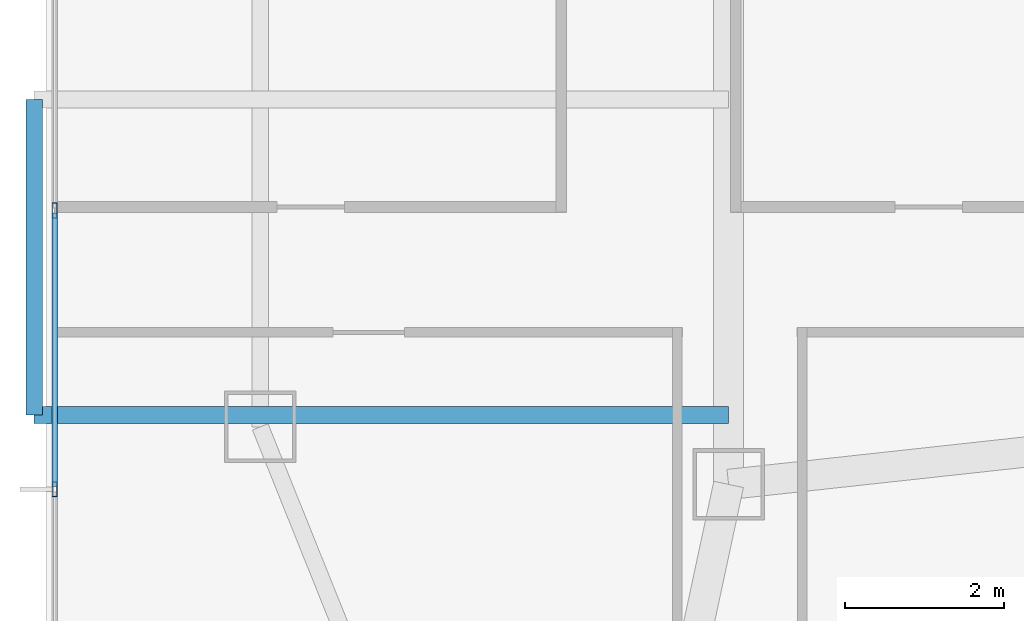
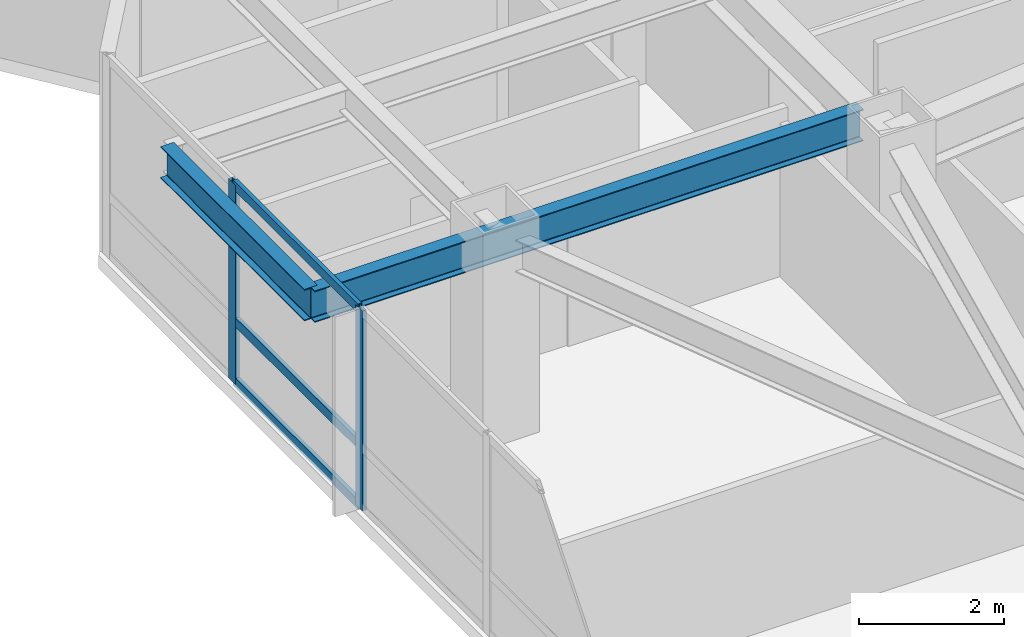
# One storey, part 4 of 17: 5 members, 2 beams, 1 element without a shape of its own.
"""IFC4 building model written with IfcOpenShell, lengths in metres."""

from ifc_helpers import new_model, si_unit, direction, frame, origin, origin_2d, place, context, subcontext, project, spatial, hollow_rectangle, i_section, extrude, material, material_profile, profile_set, type_object, element, aggregate, save


model = new_model("IFC4")

# Units and contexts
model_context = context("Model", 3, precision=1e-05, world=origin(), true_north=direction((0.0, 1.0)))
body_context = subcontext(model_context, "Body", "Model", "MODEL_VIEW")
ifc_project = project(units=[si_unit("LENGTHUNIT", "METRE"), si_unit("AREAUNIT", "SQUARE_METRE"), si_unit("VOLUMEUNIT", "CUBIC_METRE"), si_unit("PLANEANGLEUNIT", "RADIAN"), si_unit("MASSUNIT", "GRAM", prefix="KILO")], contexts=[model_context])

# Site, building, storey
site_placement = place(None, origin())
site = spatial("IfcSite", under=ifc_project, at=site_placement, CompositionType="ELEMENT")
building_placement = place(site_placement, origin())
building = spatial("IfcBuilding", under=site, at=building_placement, Name="Khamvora Tower", CompositionType="ELEMENT")
storey_placement = place(building_placement, frame((0.0, 0.0, 142.050048828125)))
storey = spatial("IfcBuildingStorey", under=building, at=storey_placement, Name="L36", CompositionType="ELEMENT", Elevation=142.050048828125)

# Beams
ifc_material_1 = material(Name="Steel S355", Category="steel")
ifc_material_profile_1 = material_profile(ifc_material_1, i_section(OverallWidth=0.208984375, OverallDepth=0.532958984375, WebThickness=0.010009765625, FlangeThickness=0.01611328125, FilletRadius=0.013916015625, at=origin_2d()), Name="W530x92")
ifc_profile_set_1 = profile_set([ifc_material_profile_1], Name="Steel S355")
beam_type = type_object("IfcBeamType", Name="BM-SP-W530x92", PredefinedType="SPANDREL", material=ifc_profile_set_1)
beam_1_placement = place(storey_placement, frame((18.0, 18.675048828125, 2.962890625), z_axis=(-1.0, 0.0, 0.0), x_axis=(0.0, -1.0, 0.0)))
element("IfcBeam", 1, at=beam_1_placement, inside=storey, type_object=beam_type, Name="L36 continuous gallery cantilever girder L37-WL1-1", PredefinedType="SPANDREL", context=body_context, shape_type="SweptSolid", body=[
    extrude(i_section(OverallWidth=0.208984375, OverallDepth=0.532958984375, WebThickness=0.010009765625, FlangeThickness=0.01611328125, FilletRadius=0.013916015625, at=origin_2d()), origin(), (0.0, 0.0, 1.0), 8.75),
])
beam_2_placement = place(storey_placement, frame((9.25, 18.675048828125, 2.962890625), z_axis=(0.0, 1.0, 0.0), x_axis=(-1.0, 0.0, 0.0)))
element("IfcBeam", 2, at=beam_2_placement, inside=storey, type_object=beam_type, Name="L36 external gallery edge header beam L37-WL1", PredefinedType="SPANDREL", context=body_context, shape_type="SweptSolid", body=[
    extrude(i_section(OverallWidth=0.208984375, OverallDepth=0.532958984375, WebThickness=0.010009765625, FlangeThickness=0.01611328125, FilletRadius=0.013916015625, at=origin_2d()), origin(), (0.0, 0.0, 1.0), 3.974853515625),
])

# Curtain wall, members
ifc_material_2 = material(Name="Anodised Aluminium 6063-T6", Category="aluminium")
curtain_wall_type = type_object("IfcCurtainWallType", Name="CW-SYS-03", PredefinedType="NOTDEFINED", material=ifc_material_2)
curtain_wall_placement = place(storey_placement, origin())
curtain_wall = element("IfcCurtainWall", 3, at=curtain_wall_placement, inside=storey, type_object=curtain_wall_type, Name="L36 stick curtain wall 02.1", PredefinedType="NOTDEFINED")
ifc_material_profile_2 = material_profile(ifc_material_2, hollow_rectangle(XDim=0.06494140625, YDim=0.18994140625, WallThickness=0.0048828125, at=origin_2d()), Name="MUL65x190x5")
ifc_profile_set_2 = profile_set([ifc_material_profile_2], Name="Anodised Aluminium 6063-T6")
member_type_1 = type_object("IfcMemberType", Name="CW-SYS-03-MUL", PredefinedType="MULLION", material=ifc_profile_set_2)
member_1_placement = place(storey_placement, frame((9.510009765625, 17.739990234375, 0.0), z_axis=(0.0, 0.0, 1.0), x_axis=(-1.0, 0.0, 0.0)))
member_1 = element("IfcMember", 4, at=member_1_placement, type_object=member_type_1, Name="CW-03 mullion 3", PredefinedType="MULLION", context=body_context, shape_type="SweptSolid", body=[
    extrude(hollow_rectangle(XDim=0.06494140625, YDim=0.18994140625, WallThickness=0.0048828125, at=origin_2d()), origin(), (0.0, 0.0, 1.0), 3.369873046875),
])
member_2_placement = place(storey_placement, frame((9.510009765625, 21.25146484375, 0.0), z_axis=(0.0, 0.0, 1.0), x_axis=(-1.0, 0.0, 0.0)))
member_2 = element("IfcMember", 5, at=member_2_placement, type_object=member_type_1, Name="CW-03 mullion 4", PredefinedType="MULLION", context=body_context, shape_type="SweptSolid", body=[
    extrude(hollow_rectangle(XDim=0.06494140625, YDim=0.18994140625, WallThickness=0.0048828125, at=origin_2d()), origin(), (0.0, 0.0, 1.0), 3.369873046875),
])
ifc_material_profile_3 = material_profile(ifc_material_2, hollow_rectangle(XDim=0.06494140625, YDim=0.155029296875, WallThickness=0.0048828125, at=origin_2d()), Name="TRN65x155x5")
ifc_profile_set_3 = profile_set([ifc_material_profile_3], Name="Anodised Aluminium 6063-T6")
member_type_2 = type_object("IfcMemberType", Name="CW-SYS-03-TRN", PredefinedType="USERDEFINED", material=ifc_profile_set_3)
member_3_placement = place(storey_placement, frame((9.510009765625, 17.7724609375, 0.032470703125), z_axis=(0.0, 1.0, 0.0), x_axis=(-1.0, 0.0, 0.0)))
member_3 = element("IfcMember", 6, at=member_3_placement, type_object=member_type_2, Name="CW-03 transom 3.1", ObjectType="TRANSOM", PredefinedType="USERDEFINED", context=body_context, shape_type="SweptSolid", body=[
    extrude(hollow_rectangle(XDim=0.06494140625, YDim=0.155029296875, WallThickness=0.0048828125, at=origin_2d()), origin(), (0.0, 0.0, 1.0), 3.446533203125),
])
member_4_placement = place(storey_placement, frame((9.510009765625, 17.7724609375, 1.050048828125), z_axis=(0.0, 1.0, 0.0), x_axis=(-1.0, 0.0, 0.0)))
member_4 = element("IfcMember", 7, at=member_4_placement, type_object=member_type_2, Name="CW-03 transom 3.2", ObjectType="TRANSOM", PredefinedType="USERDEFINED", context=body_context, shape_type="SweptSolid", body=[
    extrude(hollow_rectangle(XDim=0.06494140625, YDim=0.155029296875, WallThickness=0.0048828125, at=origin_2d()), origin(), (0.0, 0.0, 1.0), 3.446533203125),
])
member_5_placement = place(storey_placement, frame((9.510009765625, 17.7724609375, 3.33740234375), z_axis=(0.0, 1.0, 0.0), x_axis=(-1.0, 0.0, 0.0)))
member_5 = element("IfcMember", 8, at=member_5_placement, type_object=member_type_2, Name="CW-03 transom 3.3", ObjectType="TRANSOM", PredefinedType="USERDEFINED", context=body_context, shape_type="SweptSolid", body=[
    extrude(hollow_rectangle(XDim=0.06494140625, YDim=0.155029296875, WallThickness=0.0048828125, at=origin_2d()), origin(), (0.0, 0.0, 1.0), 3.446533203125),
])
aggregate(curtain_wall, [member_1, member_2, member_3, member_4, member_5])

save(model, "model.ifc")
